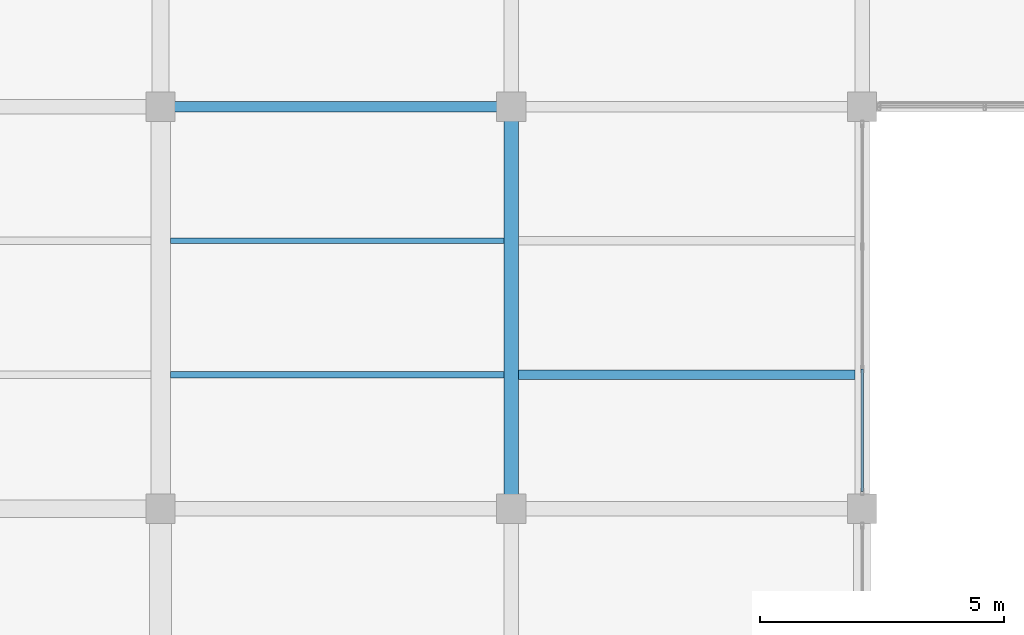
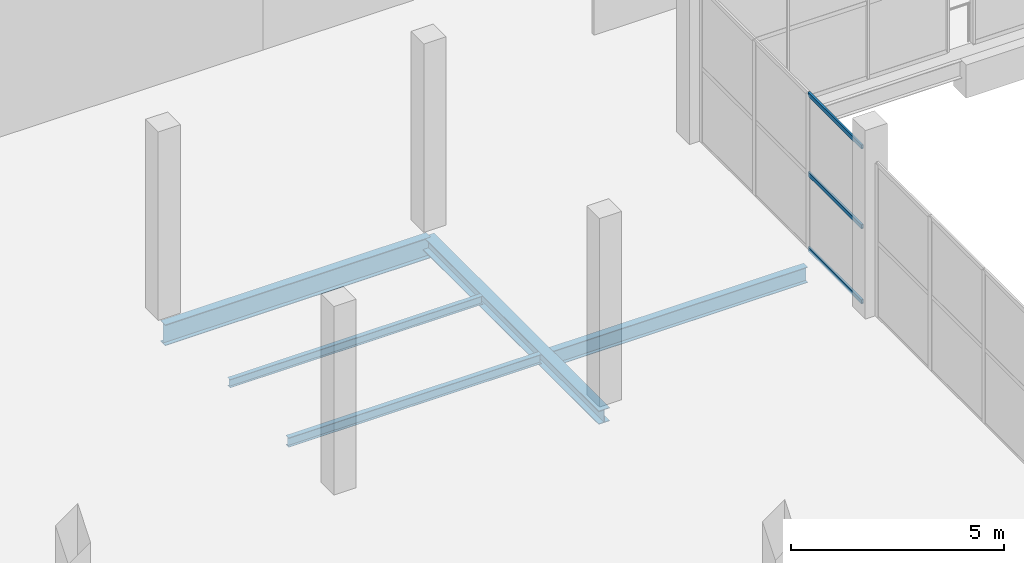
# One storey, part 55 of 141: 5 beams, 3 members, 1 element without a shape of its own.
"""IFC4 building model written with IfcOpenShell, lengths in metres."""

import ifcopenshell
import ifcopenshell.guid

model = None  # the IFC model being written
_history = None  # IfcOwnerHistory: only IFC2X3 demands one
_inside = {}  # id of a spatial element -> (the spatial element, [elements in it])
_under = {}  # id of a project, library or spatial element -> (it, [spatial elements below it])
_declared = {}  # id of a project -> (the project, [libraries it declares])
_typed = {}  # id of a type object -> (the type object, [elements of that type])
_made_of = {}  # id of a material, layer set ... -> (it, [elements and type objects made of it])


def new_model(schema):
    """Start an empty IFC model of exactly this schema.

    Asked for "IFC4X3", IfcOpenShell would pick the latest addendum, in which some entities
    have other attributes; the version numbers below select the first issue.
    IFC2X3 requires an IfcOwnerHistory on every rooted entity: one is made here for all.
    """
    global model, _history
    if schema == "IFC4X3":
        model = ifcopenshell.file(schema_version=(4, 3, 0, 0))
    else:
        model = ifcopenshell.file(schema=schema)
    _inside.clear()
    _under.clear()
    _declared.clear()
    _typed.clear()
    _made_of.clear()
    _history = None
    if model.schema == "IFC2X3":
        org = make("IfcOrganization", Name="unknown")
        user = make(
            "IfcPersonAndOrganization",
            ThePerson=make("IfcPerson", FamilyName="unknown"),
            TheOrganization=org,
        )
        app = make(
            "IfcApplication",
            ApplicationDeveloper=org,
            Version="unknown",
            ApplicationFullName="unknown",
            ApplicationIdentifier="unknown",
        )
        _history = make(
            "IfcOwnerHistory",
            OwningUser=user,
            OwningApplication=app,
            ChangeAction="ADDED",
            CreationDate=0,
        )
    return model


def make(cls, **values):
    """One entity of the class cls with the attributes given. An attribute that is None is left unset."""
    return model.create_entity(
        cls, **{name: value for name, value in values.items() if value is not None}
    )


def rooted(cls, **values):
    """An entity with a GlobalId (a new one), such as an element, a storey or a relation."""
    return make(cls, GlobalId=ifcopenshell.guid.new(), OwnerHistory=_history, **values)


def si_unit(unit_type, name, prefix=None):
    """IfcSIUnit, for example si_unit("LENGTHUNIT", "METRE", prefix="MILLI")."""
    return make("IfcSIUnit", UnitType=unit_type, Prefix=prefix, Name=name)


def assignment(units):
    """IfcUnitAssignment: the units of a project."""
    return None if units is None else make("IfcUnitAssignment", Units=units)


def point(xyz):
    """IfcCartesianPoint."""
    return None if xyz is None else make("IfcCartesianPoint", Coordinates=xyz)


def direction(xyz):
    """IfcDirection."""
    return None if xyz is None else make("IfcDirection", DirectionRatios=xyz)


def frame(location, z_axis=None, x_axis=None):
    """IfcAxis2Placement3D, a coordinate frame: its origin and axes. An axis left out is left unset."""
    return make(
        "IfcAxis2Placement3D",
        Location=point(location),
        Axis=direction(z_axis),
        RefDirection=direction(x_axis),
    )


def frame_2d(location, x_axis=None):
    """IfcAxis2Placement2D, a coordinate frame in the plane: its origin and x axis."""
    return make(
        "IfcAxis2Placement2D", Location=point(location), RefDirection=direction(x_axis)
    )


def origin():
    """The frame at (0, 0, 0) with its axes left unset."""
    return frame((0.0, 0.0, 0.0))


def origin_2d():
    """The frame at (0, 0) in the plane with its x axis left unset."""
    return frame_2d((0.0, 0.0))


def place(relative_to, where):
    """IfcLocalPlacement: puts the frame where relative to a parent placement (None: the world)."""
    return make(
        "IfcLocalPlacement", PlacementRelTo=relative_to, RelativePlacement=where
    )


def context(
    kind, dimensions, precision=None, world=None, true_north=None, identifier=None
):
    """IfcGeometricRepresentationContext, for example the 3D "Model" context."""
    return make(
        "IfcGeometricRepresentationContext",
        ContextIdentifier=identifier,
        ContextType=kind,
        CoordinateSpaceDimension=dimensions,
        Precision=precision,
        WorldCoordinateSystem=world,
        TrueNorth=true_north,
    )


def subcontext(parent, identifier, kind, view, scale=None):
    """IfcGeometricRepresentationSubContext, for example "Body" below "Model"."""
    return make(
        "IfcGeometricRepresentationSubContext",
        ContextIdentifier=identifier,
        ContextType=kind,
        ParentContext=parent,
        TargetScale=scale,
        TargetView=view,
    )


def project(units=None, contexts=None):
    """IfcProject with its units and contexts."""
    return rooted(
        "IfcProject",
        Name="project",
        RepresentationContexts=contexts,
        UnitsInContext=assignment(units),
    )


def spatial(cls, under=None, at=None, **own):
    """A site, building, storey or space (cls), placed at a placement, below another one or the project."""
    s = rooted(cls, ObjectPlacement=at, **own)
    if under is not None:
        _under.setdefault(under.id(), (under, []))[1].append(s)
    return s


def profile(cls, at=None, kind="AREA", **sizes):
    """A parametric profile (cls). Its sizes go by their IFC names, for example OverallWidth=200.0."""
    return make(cls, ProfileType=kind, Position=at, **sizes)


def hollow_rectangle(**sizes):
    """IfcRectangleHollowProfileDef."""
    return profile("IfcRectangleHollowProfileDef", **sizes)


def i_section(**sizes):
    """IfcIShapeProfileDef."""
    return profile("IfcIShapeProfileDef", **sizes)


def extrude(swept, where, along, depth):
    """IfcExtrudedAreaSolid: the profile swept, set in the frame where, extruded along a direction by depth."""
    return make(
        "IfcExtrudedAreaSolid",
        SweptArea=swept,
        Position=where,
        ExtrudedDirection=direction(along),
        Depth=depth,
    )


def shape(context_of_items, identifier, shape_type, items):
    """IfcShapeRepresentation: the items that make up one representation, for example the "Body"."""
    return make(
        "IfcShapeRepresentation",
        ContextOfItems=context_of_items,
        RepresentationIdentifier=identifier,
        RepresentationType=shape_type,
        Items=items,
    )


def material(Name=None, Category=None):
    """IfcMaterial."""
    return make("IfcMaterial", Name=Name, Category=Category)


def layer(
    of_material, thickness, ventilated=None, Name=None, Category=None, Priority=None
):
    """IfcMaterialLayer: one layer of a wall or slab, of a material (None: an air gap)."""
    return make(
        "IfcMaterialLayer",
        Material=of_material,
        LayerThickness=thickness,
        IsVentilated=ventilated,
        Name=Name,
        Category=Category,
        Priority=Priority,
    )


def layer_set(layers, Name=None):
    """IfcMaterialLayerSet."""
    return make("IfcMaterialLayerSet", MaterialLayers=layers, LayerSetName=Name)


def material_profile(
    of_material, cross_section, Name=None, Category=None, Priority=None
):
    """IfcMaterialProfile: a cross section and its material."""
    return make(
        "IfcMaterialProfile",
        Name=Name,
        Material=of_material,
        Profile=cross_section,
        Priority=Priority,
        Category=Category,
    )


def profile_set(profiles, Name=None, composite=None):
    """IfcMaterialProfileSet."""
    return make(
        "IfcMaterialProfileSet",
        Name=Name,
        MaterialProfiles=profiles,
        CompositeProfile=composite,
    )


def made_of(thing, what):
    """Note that an element or type object is made of a material, layer set ...; save() writes the relation."""
    if what is not None:
        _made_of.setdefault(what.id(), (what, []))[1].append(thing)
    return thing


def type_object(cls, material=None, **own):
    """A type object (cls), such as IfcWallType, which elements share."""
    return made_of(rooted(cls, **own), material)


def element(
    cls,
    number,
    at=None,
    inside=None,
    cuts=None,
    type_object=None,
    material=None,
    context=None,
    identifier="Body",
    shape_type=None,
    held_by="IfcProductDefinitionShape",
    body=None,
    shapes=None,
    **own,
):
    """One element of the class cls, such as IfcWall. Its Tag is "e" and its number.

    at: its placement. inside: the storey or other place that contains it. cuts: it is an
    opening in that element (IfcRelVoidsElement). A single representation is given by context,
    identifier, shape_type and body (its items); several are given by shapes. held_by: the class
    of the entity that holds the representations. save() writes the other relations.
    """
    e = rooted(cls, Tag="e%d" % number, ObjectPlacement=at, **own)
    if body is not None:
        shapes = [shape(context, identifier, shape_type, body)]
    if shapes is not None:
        e.Representation = make(held_by, Representations=shapes)
    if inside is not None:
        _inside.setdefault(inside.id(), (inside, []))[1].append(e)
    if cuts is not None:
        rooted(
            "IfcRelVoidsElement", RelatingBuildingElement=cuts, RelatedOpeningElement=e
        )
    if type_object is not None:
        _typed.setdefault(type_object.id(), (type_object, []))[1].append(e)
    return made_of(e, material)


def aggregate(whole, parts):
    """IfcRelAggregates: a whole, such as a stair, and the parts it consists of."""
    return rooted("IfcRelAggregates", RelatingObject=whole, RelatedObjects=parts)


def save(model, path):
    """Write the relations noted so far, then the file.

    IfcRelAggregates (storeys below a building ...), IfcRelContainedInSpatialStructure (elements
    in a storey), IfcRelDefinesByType, IfcRelAssociatesMaterial and IfcRelDeclares: one each for
    every whole, place, type object, material and project.
    """
    for whole, parts in _under.values():
        aggregate(whole, parts)
    for where, things in _inside.values():
        rooted(
            "IfcRelContainedInSpatialStructure",
            RelatedElements=things,
            RelatingStructure=where,
        )
    for kind, things in _typed.values():
        rooted("IfcRelDefinesByType", RelatedObjects=things, RelatingType=kind)
    for what, things in _made_of.values():
        rooted("IfcRelAssociatesMaterial", RelatedObjects=things, RelatingMaterial=what)
    for by, libraries in _declared.values():
        rooted("IfcRelDeclares", RelatingContext=by, RelatedDefinitions=libraries)
    model.write(path)


model = new_model("IFC4")

# Units and contexts
model_context = context("Model", 3, precision=1e-05, world=origin(), true_north=direction((0.0, 1.0)))
body_context = subcontext(model_context, "Body", "Model", "MODEL_VIEW")
ifc_project = project(units=[si_unit("LENGTHUNIT", "METRE"), si_unit("AREAUNIT", "SQUARE_METRE"), si_unit("VOLUMEUNIT", "CUBIC_METRE"), si_unit("PLANEANGLEUNIT", "RADIAN"), si_unit("MASSUNIT", "GRAM", prefix="KILO")], contexts=[model_context])

# Site, building, storey
site_placement = place(None, origin())
site = spatial("IfcSite", under=ifc_project, at=site_placement, CompositionType="ELEMENT")
building_placement = place(site_placement, origin())
building = spatial("IfcBuilding", under=site, at=building_placement, Name="Sundgate Opera House", CompositionType="ELEMENT")
storey_placement = place(building_placement, frame((0.0, 0.0, 11.39990234375)))
storey = spatial("IfcBuildingStorey", under=building, at=storey_placement, Name="L02", CompositionType="ELEMENT", Elevation=11.39990234375)

# Beams
ifc_material_1 = material(Name="Steel S355J2", Category="steel")
ifc_material_profile_1 = material_profile(ifc_material_1, i_section(OverallWidth=0.300048828125, OverallDepth=0.389892578125, WebThickness=0.010986328125, FlangeThickness=0.01904296875, at=origin_2d()), Name="HEA 400")
ifc_profile_set_1 = profile_set([ifc_material_profile_1], Name="Steel S355J2")
beam_type_1 = type_object("IfcBeamType", Name="BM-GR-HEA400", PredefinedType="BEAM", material=ifc_profile_set_1)
beam_1_placement = place(storey_placement, frame((117.0, 103.5, -0.544921875), z_axis=(0.0, 1.0, 0.0), x_axis=(-1.0, 0.0, 0.0)))
element("IfcBeam", 1, at=beam_1_placement, inside=storey, type_object=beam_type_1, Name="L02 Primary N-S Girder B1890", PredefinedType="BEAM", context=body_context, shape_type="SweptSolid", body=[
    extrude(i_section(OverallWidth=0.300048828125, OverallDepth=0.389892578125, WebThickness=0.010986328125, FlangeThickness=0.01904296875, at=origin_2d()), origin(), (0.0, 0.0, 1.0), 8.25),
])
ifc_material_2 = material(Name="Steel S355J2", Category="steel")
ifc_material_profile_2 = material_profile(ifc_material_2, i_section(OverallWidth=0.219970703125, OverallDepth=0.60009765625, WebThickness=0.011962890625, FlangeThickness=0.01904296875, at=origin_2d()), Name="IPE 600")
ifc_profile_set_2 = profile_set([ifc_material_profile_2], Name="Steel S355J2")
beam_type_2 = type_object("IfcBeamType", Name="BM-GR-IPE600", PredefinedType="BEAM", material=ifc_profile_set_2)
beam_2_placement = place(storey_placement, frame((109.800048828125, 111.75, -0.64990234375), z_axis=(1.0, 0.0, 0.0), x_axis=(0.0, 1.0, 0.0)))
element("IfcBeam", 2, at=beam_2_placement, inside=storey, type_object=beam_type_2, Name="L02 Primary E-W Girder B2105", PredefinedType="BEAM", context=body_context, shape_type="SweptSolid", body=[
    extrude(i_section(OverallWidth=0.219970703125, OverallDepth=0.60009765625, WebThickness=0.011962890625, FlangeThickness=0.01904296875, at=origin_2d()), origin(), (0.0, 0.0, 1.0), 7.199951171875),
])
ifc_material_3 = material(Name="Steel S355J2", Category="steel")
ifc_material_profile_3 = material_profile(ifc_material_3, i_section(OverallWidth=0.1201171875, OverallDepth=0.239990234375, WebThickness=0.006103515625, FlangeThickness=0.009765625, at=origin_2d()), Name="IPE 240")
ifc_profile_set_3 = profile_set([ifc_material_profile_3], Name="Steel S355J2")
beam_type_3 = type_object("IfcBeamType", Name="BM-JS-IPE240", PredefinedType="JOIST", material=ifc_profile_set_3)
beam_3_placement = place(storey_placement, frame((110.0, 109.0, -0.469970703125), z_axis=(1.0, 0.0, 0.0), x_axis=(0.0, 1.0, 0.0)))
element("IfcBeam", 3, at=beam_3_placement, inside=storey, type_object=beam_type_3, Name="L02 Secondary Floor Joist B2408", PredefinedType="JOIST", context=body_context, shape_type="SweptSolid", body=[
    extrude(i_section(OverallWidth=0.1201171875, OverallDepth=0.239990234375, WebThickness=0.006103515625, FlangeThickness=0.009765625, at=origin_2d()), origin(), (0.0, 0.0, 1.0), 6.85009765625),
])
ifc_material_4 = material(Name="Steel S355J2", Category="steel")
ifc_material_profile_4 = material_profile(ifc_material_4, i_section(OverallWidth=0.135009765625, OverallDepth=0.27001953125, WebThickness=0.006591796875, FlangeThickness=0.01025390625, at=origin_2d()), Name="IPE 270")
ifc_profile_set_4 = profile_set([ifc_material_profile_4], Name="Steel S355J2")
beam_type_4 = type_object("IfcBeamType", Name="BM-JS-IPE270", PredefinedType="JOIST", material=ifc_profile_set_4)
beam_4_placement = place(storey_placement, frame((110.0, 106.25, -0.48486328125), z_axis=(1.0, 0.0, 0.0), x_axis=(0.0, 1.0, 0.0)))
element("IfcBeam", 4, at=beam_4_placement, inside=storey, type_object=beam_type_4, Name="L02 Secondary Floor Joist B2407", PredefinedType="JOIST", context=body_context, shape_type="SweptSolid", body=[
    extrude(i_section(OverallWidth=0.135009765625, OverallDepth=0.27001953125, WebThickness=0.006591796875, FlangeThickness=0.01025390625, at=origin_2d()), origin(), (0.0, 0.0, 1.0), 6.85009765625),
])
ifc_material_5 = material(Name="Steel S355J2", Category="steel")
ifc_material_profile_5 = material_profile(ifc_material_5, i_section(OverallWidth=0.18994140625, OverallDepth=0.449951171875, WebThickness=0.009521484375, FlangeThickness=0.0146484375, at=origin_2d()), Name="IPE 450")
ifc_profile_set_5 = profile_set([ifc_material_profile_5], Name="Steel S355J2")
beam_type_5 = type_object("IfcBeamType", Name="BM-JS-IPE450", PredefinedType="JOIST", material=ifc_profile_set_5)
beam_5_placement = place(storey_placement, frame((117.14990234375, 106.25, -0.574951171875), z_axis=(1.0, 0.0, 0.0), x_axis=(0.0, 1.0, 0.0)))
element("IfcBeam", 5, at=beam_5_placement, inside=storey, type_object=beam_type_5, Name="L02 Secondary Floor Joist B2409", PredefinedType="JOIST", context=body_context, shape_type="SweptSolid", body=[
    extrude(i_section(OverallWidth=0.18994140625, OverallDepth=0.449951171875, WebThickness=0.009521484375, FlangeThickness=0.0146484375, at=origin_2d()), origin(), (0.0, 0.0, 1.0), 6.900146484375),
])

# Curtain wall, members
ifc_material_6 = material(Name="Anodized aluminium and low-iron glass", Category="aluminium")
ifc_layer = layer(ifc_material_6, 0.159912109375)
ifc_layer_set = layer_set([ifc_layer], Name="Anodized aluminium and low-iron glass")
curtain_wall_type = type_object("IfcCurtainWallType", Name="CW-STUDIO-DARK", PredefinedType="NOTDEFINED", material=ifc_layer_set)
curtain_wall_placement = place(storey_placement, origin())
curtain_wall = element("IfcCurtainWall", 6, at=curtain_wall_placement, inside=storey, type_object=curtain_wall_type, Name="L02 Curtain Wall CW120", PredefinedType="NOTDEFINED")
ifc_material_7 = material(Name="Anodized aluminium EN AW-6063", Category="aluminium")
ifc_material_profile_6 = material_profile(ifc_material_7, hollow_rectangle(XDim=0.054931640625, YDim=0.1201171875, WallThickness=0.00390625, at=origin_2d()), Name="CWT 120x55x4")
ifc_profile_set_6 = profile_set([ifc_material_profile_6], Name="Anodized aluminium EN AW-6063")
member_type = type_object("IfcMemberType", Name="CWT-ALU-120x55", PredefinedType="USERDEFINED", material=ifc_profile_set_6)
member_1_placement = place(storey_placement, frame((124.199951171875, 103.85009765625, 0.0), z_axis=(0.0, 1.0, 0.0), x_axis=(-1.0, 0.0, 0.0)))
member_1 = element("IfcMember", 7, at=member_1_placement, type_object=member_type, Name="CW120 Transom 1", ObjectType="TRANSOM", PredefinedType="USERDEFINED", context=body_context, shape_type="SweptSolid", body=[
    extrude(hollow_rectangle(XDim=0.054931640625, YDim=0.1201171875, WallThickness=0.00390625, at=origin_2d()), origin(), (0.0, 0.0, 1.0), 2.5166015625),
])
member_2_placement = place(storey_placement, frame((124.199951171875, 103.85009765625, 2.150146484375), z_axis=(0.0, 1.0, 0.0), x_axis=(-1.0, 0.0, 0.0)))
member_2 = element("IfcMember", 8, at=member_2_placement, type_object=member_type, Name="CW120 Transom 2", ObjectType="TRANSOM", PredefinedType="USERDEFINED", context=body_context, shape_type="SweptSolid", body=[
    extrude(hollow_rectangle(XDim=0.054931640625, YDim=0.1201171875, WallThickness=0.00390625, at=origin_2d()), origin(), (0.0, 0.0, 1.0), 2.5166015625),
])
member_3_placement = place(storey_placement, frame((124.199951171875, 103.85009765625, 4.43505859375), z_axis=(0.0, 1.0, 0.0), x_axis=(-1.0, 0.0, 0.0)))
member_3 = element("IfcMember", 9, at=member_3_placement, type_object=member_type, Name="CW120 Transom 3", ObjectType="TRANSOM", PredefinedType="USERDEFINED", context=body_context, shape_type="SweptSolid", body=[
    extrude(hollow_rectangle(XDim=0.054931640625, YDim=0.1201171875, WallThickness=0.00390625, at=origin_2d()), origin(), (0.0, 0.0, 1.0), 2.5166015625),
])
aggregate(curtain_wall, [member_1, member_2, member_3])

save(model, "model.ifc")
